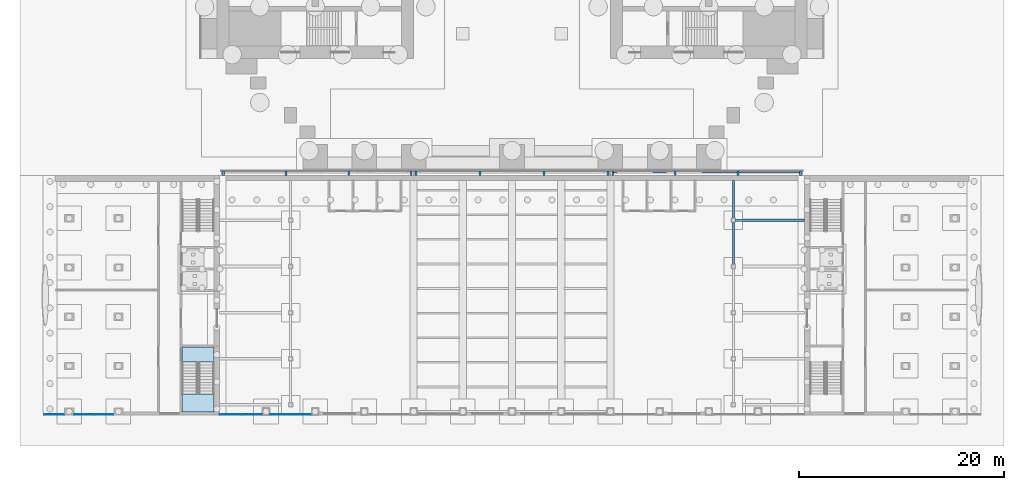
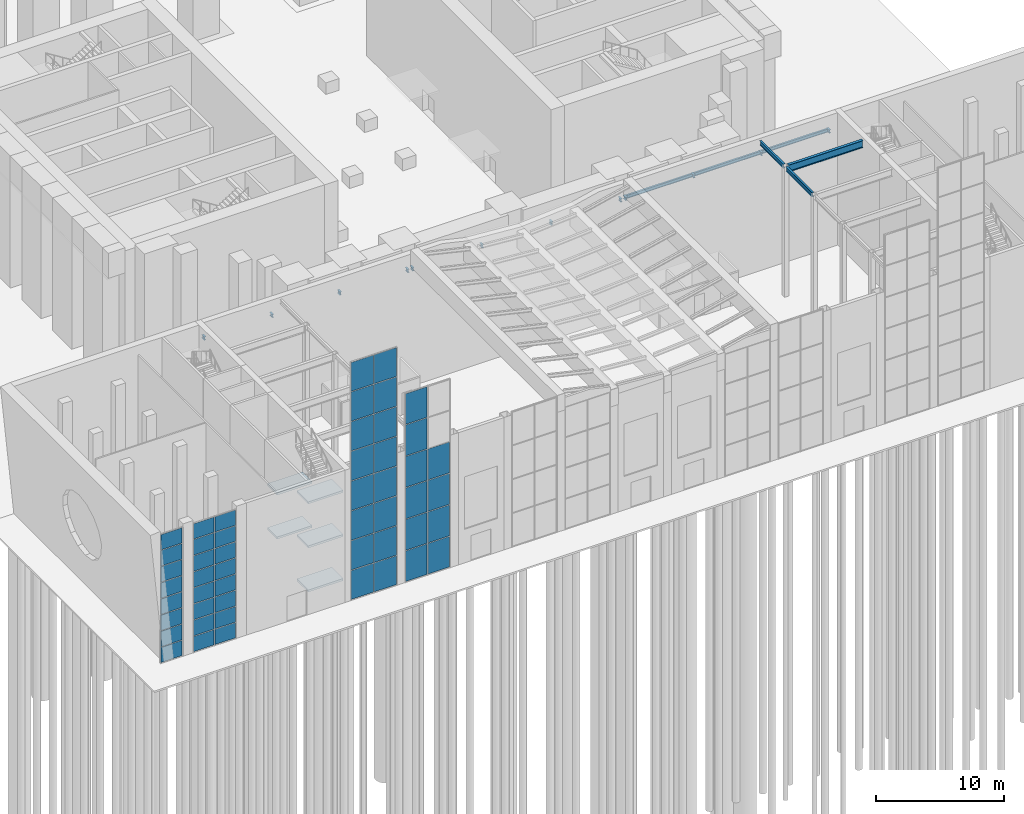
# One storey, part 38 of 58: 50 plates, 16 beams, 5 slabs, 5 elements without a shape of their own.
"""IFC4 building model written with IfcOpenShell, lengths in metres."""

from ifc_helpers import new_model, si_unit, direction, frame, origin, origin_2d, place, context, subcontext, project, spatial, polyline, rectangle, i_section, outline, extrude, material, layer, layer_set, material_profile, profile_set, type_object, element, aggregate, save


model = new_model("IFC4")

# Units and contexts
model_context = context("Model", 3, precision=1e-05, world=origin(), true_north=direction((0.0, 1.0)))
body_context = subcontext(model_context, "Body", "Model", "MODEL_VIEW")
ifc_project = project(units=[si_unit("LENGTHUNIT", "METRE"), si_unit("AREAUNIT", "SQUARE_METRE"), si_unit("VOLUMEUNIT", "CUBIC_METRE"), si_unit("PLANEANGLEUNIT", "RADIAN"), si_unit("MASSUNIT", "GRAM", prefix="KILO")], contexts=[model_context])

# Site, building, storey
site_placement = place(None, origin())
site = spatial("IfcSite", under=ifc_project, at=site_placement, CompositionType="ELEMENT")
building_placement = place(site_placement, origin())
building = spatial("IfcBuilding", under=site, at=building_placement, Name="Baori Bourse Tower", CompositionType="ELEMENT")
storey_placement = place(building_placement, origin())
storey = spatial("IfcBuildingStorey", under=building, at=storey_placement, Name="L00", CompositionType="ELEMENT", Elevation=0.0)

# Beams
ifc_material_1 = material(Name="Steel A992 Gr 50", Category="steel")
ifc_material_profile_1 = material_profile(ifc_material_1, i_section(OverallWidth=0.164794921875, OverallDepth=0.309814453125, WebThickness=0.005859375, FlangeThickness=0.009765625, at=origin_2d()), Name="W12x26")
ifc_profile_set_1 = profile_set([ifc_material_profile_1], Name="Steel A992 Gr 50")
beam_type_1 = type_object("IfcBeamType", Name="Wing beam W12x26", PredefinedType="BEAM", material=ifc_profile_set_1)
for number, where, z_axis, x_axis, name in (
    (1, (0.64990234375, -1.800048828125, 10.64501953125), (0.0, 1.0, 0.0), (-1.0, 0.0, 0.0), "wing/L00/canopybeam1/001"),
    (2, (6.75830078125, -1.800048828125, 10.64501953125), (0.0, 1.0, 0.0), (-1.0, 0.0, 0.0), "wing/L00/canopybeam1/002"),
    (3, (12.86669921875, -1.800048828125, 10.64501953125), (0.0, 1.0, 0.0), (-1.0, 0.0, 0.0), "wing/L00/canopybeam1/003"),
    (4, (18.97509765625, -1.800048828125, 10.64501953125), (0.0, 1.0, 0.0), (-1.0, 0.0, 0.0), "wing/L00/canopybeam1/004"),
    (5, (19.425048828125, -1.800048828125, 10.64501953125), (0.0, 1.0, 0.0), (-1.0, 0.0, 0.0), "wing/L00/canopybeam2/001"),
    (6, (25.675048828125, -1.800048828125, 10.64501953125), (0.0, 1.0, 0.0), (-1.0, 0.0, 0.0), "wing/L00/canopybeam2/002"),
    (7, (31.925048828125, -1.800048828125, 10.64501953125), (0.0, 1.0, 0.0), (-1.0, 0.0, 0.0), "wing/L00/canopybeam2/003"),
    (8, (38.175048828125, -1.800048828125, 10.64501953125), (0.0, 1.0, 0.0), (-1.0, 0.0, 0.0), "wing/L00/canopybeam2/004"),
    (9, (38.625, -1.800048828125, 10.64501953125), (0.0, 1.0, 0.0), (-1.0, 0.0, 0.0), "wing/L00/canopybeam3/001"),
    (10, (44.7333984375, -1.800048828125, 10.64501953125), (0.0, 1.0, 0.0), (-1.0, 0.0, 0.0), "wing/L00/canopybeam3/002"),
    (11, (50.841552734375, -1.800048828125, 10.64501953125), (0.0, 1.0, 0.0), (-1.0, 0.0, 0.0), "wing/L00/canopybeam3/003"),
    (12, (56.949951171875, -1.800048828125, 10.64501953125), (0.0, 1.0, 0.0), (-1.0, 0.0, 0.0), "wing/L00/canopybeam3/004"),
):
    element("IfcBeam", number, at=place(storey_placement, frame(where, z_axis=z_axis, x_axis=x_axis)), inside=storey, type_object=beam_type_1, Name=name, PredefinedType="BEAM", context=body_context, shape_type="SweptSolid", body=[
        extrude(i_section(OverallWidth=0.164794921875, OverallDepth=0.309814453125, WebThickness=0.005859375, FlangeThickness=0.009765625, at=origin_2d()), origin(), (0.0, 0.0, 1.0), 0.400146484375),
    ])
beam_1_placement = place(storey_placement, frame((38.70751953125, -1.52001953125, 10.64501953125), z_axis=(1.0, 0.0, 0.0), x_axis=(0.0, 1.0, 0.0)))
element("IfcBeam", 13, at=beam_1_placement, inside=storey, type_object=beam_type_1, Name="wing/L00/canopyedgebeam3/001", PredefinedType="BEAM", context=body_context, shape_type="SweptSolid", body=[
    extrude(i_section(OverallWidth=0.164794921875, OverallDepth=0.309814453125, WebThickness=0.005859375, FlangeThickness=0.009765625, at=origin_2d()), origin(), (0.0, 0.0, 1.0), 18.16015625),
])
ifc_material_2 = material(Name="Steel A992 Gr 50", Category="steel")
ifc_material_profile_2 = material_profile(ifc_material_2, i_section(OverallWidth=0.177734375, OverallDepth=0.406494140625, WebThickness=0.0078125, FlangeThickness=0.012939453125, at=origin_2d()), Name="W16x40")
ifc_profile_set_2 = profile_set([ifc_material_profile_2], Name="Steel A992 Gr 50")
beam_type_2 = type_object("IfcBeamType", Name="Wing beam W16x40", PredefinedType="BEAM", material=ifc_profile_set_2)
beam_2_placement = place(storey_placement, frame((50.39990234375, -10.5, 12.19677734375), z_axis=(0.0, 1.0, 0.0), x_axis=(-1.0, 0.0, 0.0)))
element("IfcBeam", 14, at=beam_2_placement, inside=storey, type_object=beam_type_2, Name="wing/L00/galbeam/018", PredefinedType="BEAM", context=body_context, shape_type="SweptSolid", body=[
    extrude(i_section(OverallWidth=0.177734375, OverallDepth=0.406494140625, WebThickness=0.0078125, FlangeThickness=0.012939453125, at=origin_2d()), origin(), (0.0, 0.0, 1.0), 4.10009765625),
])
beam_3_placement = place(storey_placement, frame((50.39990234375, -6.0, 12.19677734375), z_axis=(0.0, 1.0, 0.0), x_axis=(-1.0, 0.0, 0.0)))
element("IfcBeam", 15, at=beam_3_placement, inside=storey, type_object=beam_type_2, Name="wing/L00/galbeam/020", PredefinedType="BEAM", context=body_context, shape_type="SweptSolid", body=[
    extrude(i_section(OverallWidth=0.177734375, OverallDepth=0.406494140625, WebThickness=0.0078125, FlangeThickness=0.012939453125, at=origin_2d()), origin(), (0.0, 0.0, 1.0), 3.699951171875),
])
ifc_material_3 = material(Name="Steel A992 Gr 50", Category="steel")
ifc_material_profile_3 = material_profile(ifc_material_3, i_section(OverallWidth=0.25390625, OverallDepth=0.67822265625, WebThickness=0.01171875, FlangeThickness=0.016357421875, at=origin_2d()), Name="W27x84")
ifc_profile_set_3 = profile_set([ifc_material_profile_3], Name="Steel A992 Gr 50")
beam_type_3 = type_object("IfcBeamType", Name="Wing beam W27x84", PredefinedType="BEAM", material=ifc_profile_set_3)
beam_4_placement = place(storey_placement, frame((57.35009765625, -6.199951171875, 12.060791015625), z_axis=(-1.0, 0.0, 0.0), x_axis=(0.0, -1.0, 0.0)))
element("IfcBeam", 16, at=beam_4_placement, inside=storey, type_object=beam_type_3, Name="wing/L00/galbeam/019", PredefinedType="BEAM", context=body_context, shape_type="SweptSolid", body=[
    extrude(i_section(OverallWidth=0.25390625, OverallDepth=0.67822265625, WebThickness=0.01171875, FlangeThickness=0.016357421875, at=origin_2d()), origin(), (0.0, 0.0, 1.0), 6.75),
])

# Curtain wall, plates
ifc_material_4 = material(Name="Pale anodised aluminium", Category="aluminium")
ifc_layer_1 = layer(ifc_material_4, 0.10009765625)
ifc_layer_set_1 = layer_set([ifc_layer_1], Name="Wing curtain wall")
curtain_wall_type = type_object("IfcCurtainWallType", Name="Wing curtain wall", PredefinedType="NOTDEFINED", material=ifc_layer_set_1)
curtain_wall_1_placement = place(storey_placement, origin())
curtain_wall_1 = element("IfcCurtainWall", 17, at=curtain_wall_1_placement, inside=storey, type_object=curtain_wall_type, Name="wing/L00/Wcw/001", PredefinedType="NOTDEFINED")
ifc_material_5 = material(Name="Clear glass", Category="glass")
ifc_layer_2 = layer(ifc_material_5, 0.028076171875)
ifc_layer_set_2 = layer_set([ifc_layer_2], Name="Wing glass panel 28")
plate_type = type_object("IfcPlateType", Name="Wing glass panel 28", PredefinedType="CURTAIN_PANEL", material=ifc_layer_set_2)
plate_1_placement = place(storey_placement, frame((-15.876220703125, -25.14990234375, 0.06005859375), z_axis=(0.0, 0.0, 1.0), x_axis=(1.0, 0.0, 0.0)))
plate_1 = element("IfcPlate", 18, at=plate_1_placement, type_object=plate_type, Name="X12 panel 1.1", PredefinedType="CURTAIN_PANEL", context=body_context, shape_type="SweptSolid", body=[
    extrude(rectangle(XDim=1.9326171875, YDim=0.028076171875, at=origin_2d()), origin(), (0.0, 0.0, 1.0), 1.447509765625),
])
plate_2_placement = place(storey_placement, frame((-15.876220703125, -25.14990234375, 1.5673828125), z_axis=(0.0, 0.0, 1.0), x_axis=(1.0, 0.0, 0.0)))
plate_2 = element("IfcPlate", 19, at=plate_2_placement, type_object=plate_type, Name="X12 panel 1.2", PredefinedType="CURTAIN_PANEL", context=body_context, shape_type="SweptSolid", body=[
    extrude(rectangle(XDim=1.9326171875, YDim=0.028076171875, at=origin_2d()), origin(), (0.0, 0.0, 1.0), 1.4775390625),
])
plate_3_placement = place(storey_placement, frame((-15.876220703125, -25.14990234375, 3.10498046875), z_axis=(0.0, 0.0, 1.0), x_axis=(1.0, 0.0, 0.0)))
plate_3 = element("IfcPlate", 20, at=plate_3_placement, type_object=plate_type, Name="X12 panel 1.3", PredefinedType="CURTAIN_PANEL", context=body_context, shape_type="SweptSolid", body=[
    extrude(rectangle(XDim=1.9326171875, YDim=0.028076171875, at=origin_2d()), origin(), (0.0, 0.0, 1.0), 1.4775390625),
])
plate_4_placement = place(storey_placement, frame((-15.876220703125, -25.14990234375, 4.642578125), z_axis=(0.0, 0.0, 1.0), x_axis=(1.0, 0.0, 0.0)))
plate_4 = element("IfcPlate", 21, at=plate_4_placement, type_object=plate_type, Name="X12 panel 1.4", PredefinedType="CURTAIN_PANEL", context=body_context, shape_type="SweptSolid", body=[
    extrude(rectangle(XDim=1.9326171875, YDim=0.028076171875, at=origin_2d()), origin(), (0.0, 0.0, 1.0), 1.4775390625),
])
plate_5_placement = place(storey_placement, frame((-15.876220703125, -25.14990234375, 6.179931640625), z_axis=(0.0, 0.0, 1.0), x_axis=(1.0, 0.0, 0.0)))
plate_5 = element("IfcPlate", 22, at=plate_5_placement, type_object=plate_type, Name="X12 panel 1.5", PredefinedType="CURTAIN_PANEL", context=body_context, shape_type="SweptSolid", body=[
    extrude(rectangle(XDim=1.9326171875, YDim=0.028076171875, at=origin_2d()), origin(), (0.0, 0.0, 1.0), 1.4775390625),
])
plate_6_placement = place(storey_placement, frame((-15.876220703125, -25.14990234375, 7.717529296875), z_axis=(0.0, 0.0, 1.0), x_axis=(1.0, 0.0, 0.0)))
plate_6 = element("IfcPlate", 23, at=plate_6_placement, type_object=plate_type, Name="X12 panel 1.6", PredefinedType="CURTAIN_PANEL", context=body_context, shape_type="SweptSolid", body=[
    extrude(rectangle(XDim=1.9326171875, YDim=0.028076171875, at=origin_2d()), origin(), (0.0, 0.0, 1.0), 1.4775390625),
])
plate_7_placement = place(storey_placement, frame((-15.876220703125, -25.14990234375, 9.2548828125), z_axis=(0.0, 0.0, 1.0), x_axis=(1.0, 0.0, 0.0)))
plate_7 = element("IfcPlate", 24, at=plate_7_placement, type_object=plate_type, Name="X12 panel 1.7", PredefinedType="CURTAIN_PANEL", context=body_context, shape_type="SweptSolid", body=[
    extrude(rectangle(XDim=1.9326171875, YDim=0.028076171875, at=origin_2d()), origin(), (0.0, 0.0, 1.0), 1.4775390625),
])
plate_8_placement = place(storey_placement, frame((-15.876220703125, -25.14990234375, 10.79248046875), z_axis=(0.0, 0.0, 1.0), x_axis=(1.0, 0.0, 0.0)))
plate_8 = element("IfcPlate", 25, at=plate_8_placement, type_object=plate_type, Name="X12 panel 1.8", PredefinedType="CURTAIN_PANEL", context=body_context, shape_type="SweptSolid", body=[
    extrude(rectangle(XDim=1.9326171875, YDim=0.028076171875, at=origin_2d()), origin(), (0.0, 0.0, 1.0), 1.447509765625),
])
aggregate(curtain_wall_1, [plate_1, plate_2, plate_3, plate_4, plate_5, plate_6, plate_7, plate_8])

curtain_wall_2_placement = place(storey_placement, origin())
curtain_wall_2 = element("IfcCurtainWall", 26, at=curtain_wall_2_placement, inside=storey, type_object=curtain_wall_type, Name="wing/L00/Wcw/002", PredefinedType="NOTDEFINED")
plate_9_placement = place(storey_placement, frame((-12.9599609375, -25.14990234375, 0.06005859375), z_axis=(0.0, 0.0, 1.0), x_axis=(1.0, 0.0, 0.0)))
plate_9 = element("IfcPlate", 27, at=plate_9_placement, type_object=plate_type, Name="X12 panel 1.1", PredefinedType="CURTAIN_PANEL", context=body_context, shape_type="SweptSolid", body=[
    extrude(rectangle(XDim=1.860107421875, YDim=0.028076171875, at=origin_2d()), origin(), (0.0, 0.0, 1.0), 1.447509765625),
])
plate_10_placement = place(storey_placement, frame((-12.9599609375, -25.14990234375, 1.5673828125), z_axis=(0.0, 0.0, 1.0), x_axis=(1.0, 0.0, 0.0)))
plate_10 = element("IfcPlate", 28, at=plate_10_placement, type_object=plate_type, Name="X12 panel 1.2", PredefinedType="CURTAIN_PANEL", context=body_context, shape_type="SweptSolid", body=[
    extrude(rectangle(XDim=1.860107421875, YDim=0.028076171875, at=origin_2d()), origin(), (0.0, 0.0, 1.0), 1.4775390625),
])
plate_11_placement = place(storey_placement, frame((-12.9599609375, -25.14990234375, 3.10498046875), z_axis=(0.0, 0.0, 1.0), x_axis=(1.0, 0.0, 0.0)))
plate_11 = element("IfcPlate", 29, at=plate_11_placement, type_object=plate_type, Name="X12 panel 1.3", PredefinedType="CURTAIN_PANEL", context=body_context, shape_type="SweptSolid", body=[
    extrude(rectangle(XDim=1.860107421875, YDim=0.028076171875, at=origin_2d()), origin(), (0.0, 0.0, 1.0), 1.4775390625),
])
plate_12_placement = place(storey_placement, frame((-12.9599609375, -25.14990234375, 4.642578125), z_axis=(0.0, 0.0, 1.0), x_axis=(1.0, 0.0, 0.0)))
plate_12 = element("IfcPlate", 30, at=plate_12_placement, type_object=plate_type, Name="X12 panel 1.4", PredefinedType="CURTAIN_PANEL", context=body_context, shape_type="SweptSolid", body=[
    extrude(rectangle(XDim=1.860107421875, YDim=0.028076171875, at=origin_2d()), origin(), (0.0, 0.0, 1.0), 1.4775390625),
])
plate_13_placement = place(storey_placement, frame((-12.9599609375, -25.14990234375, 6.179931640625), z_axis=(0.0, 0.0, 1.0), x_axis=(1.0, 0.0, 0.0)))
plate_13 = element("IfcPlate", 31, at=plate_13_placement, type_object=plate_type, Name="X12 panel 1.5", PredefinedType="CURTAIN_PANEL", context=body_context, shape_type="SweptSolid", body=[
    extrude(rectangle(XDim=1.860107421875, YDim=0.028076171875, at=origin_2d()), origin(), (0.0, 0.0, 1.0), 1.4775390625),
])
plate_14_placement = place(storey_placement, frame((-12.9599609375, -25.14990234375, 7.717529296875), z_axis=(0.0, 0.0, 1.0), x_axis=(1.0, 0.0, 0.0)))
plate_14 = element("IfcPlate", 32, at=plate_14_placement, type_object=plate_type, Name="X12 panel 1.6", PredefinedType="CURTAIN_PANEL", context=body_context, shape_type="SweptSolid", body=[
    extrude(rectangle(XDim=1.860107421875, YDim=0.028076171875, at=origin_2d()), origin(), (0.0, 0.0, 1.0), 1.4775390625),
])
plate_15_placement = place(storey_placement, frame((-12.9599609375, -25.14990234375, 9.2548828125), z_axis=(0.0, 0.0, 1.0), x_axis=(1.0, 0.0, 0.0)))
plate_15 = element("IfcPlate", 33, at=plate_15_placement, type_object=plate_type, Name="X12 panel 1.7", PredefinedType="CURTAIN_PANEL", context=body_context, shape_type="SweptSolid", body=[
    extrude(rectangle(XDim=1.860107421875, YDim=0.028076171875, at=origin_2d()), origin(), (0.0, 0.0, 1.0), 1.4775390625),
])
plate_16_placement = place(storey_placement, frame((-12.9599609375, -25.14990234375, 10.79248046875), z_axis=(0.0, 0.0, 1.0), x_axis=(1.0, 0.0, 0.0)))
plate_16 = element("IfcPlate", 34, at=plate_16_placement, type_object=plate_type, Name="X12 panel 1.8", PredefinedType="CURTAIN_PANEL", context=body_context, shape_type="SweptSolid", body=[
    extrude(rectangle(XDim=1.860107421875, YDim=0.028076171875, at=origin_2d()), origin(), (0.0, 0.0, 1.0), 1.447509765625),
])
plate_17_placement = place(storey_placement, frame((-11.0400390625, -25.14990234375, 0.06005859375), z_axis=(0.0, 0.0, 1.0), x_axis=(1.0, 0.0, 0.0)))
plate_17 = element("IfcPlate", 35, at=plate_17_placement, type_object=plate_type, Name="X12 panel 2.1", PredefinedType="CURTAIN_PANEL", context=body_context, shape_type="SweptSolid", body=[
    extrude(rectangle(XDim=1.860107421875, YDim=0.028076171875, at=origin_2d()), origin(), (0.0, 0.0, 1.0), 1.447509765625),
])
plate_18_placement = place(storey_placement, frame((-11.0400390625, -25.14990234375, 1.5673828125), z_axis=(0.0, 0.0, 1.0), x_axis=(1.0, 0.0, 0.0)))
plate_18 = element("IfcPlate", 36, at=plate_18_placement, type_object=plate_type, Name="X12 panel 2.2", PredefinedType="CURTAIN_PANEL", context=body_context, shape_type="SweptSolid", body=[
    extrude(rectangle(XDim=1.860107421875, YDim=0.028076171875, at=origin_2d()), origin(), (0.0, 0.0, 1.0), 1.4775390625),
])
plate_19_placement = place(storey_placement, frame((-11.0400390625, -25.14990234375, 3.10498046875), z_axis=(0.0, 0.0, 1.0), x_axis=(1.0, 0.0, 0.0)))
plate_19 = element("IfcPlate", 37, at=plate_19_placement, type_object=plate_type, Name="X12 panel 2.3", PredefinedType="CURTAIN_PANEL", context=body_context, shape_type="SweptSolid", body=[
    extrude(rectangle(XDim=1.860107421875, YDim=0.028076171875, at=origin_2d()), origin(), (0.0, 0.0, 1.0), 1.4775390625),
])
plate_20_placement = place(storey_placement, frame((-11.0400390625, -25.14990234375, 4.642578125), z_axis=(0.0, 0.0, 1.0), x_axis=(1.0, 0.0, 0.0)))
plate_20 = element("IfcPlate", 38, at=plate_20_placement, type_object=plate_type, Name="X12 panel 2.4", PredefinedType="CURTAIN_PANEL", context=body_context, shape_type="SweptSolid", body=[
    extrude(rectangle(XDim=1.860107421875, YDim=0.028076171875, at=origin_2d()), origin(), (0.0, 0.0, 1.0), 1.4775390625),
])
plate_21_placement = place(storey_placement, frame((-11.0400390625, -25.14990234375, 6.179931640625), z_axis=(0.0, 0.0, 1.0), x_axis=(1.0, 0.0, 0.0)))
plate_21 = element("IfcPlate", 39, at=plate_21_placement, type_object=plate_type, Name="X12 panel 2.5", PredefinedType="CURTAIN_PANEL", context=body_context, shape_type="SweptSolid", body=[
    extrude(rectangle(XDim=1.860107421875, YDim=0.028076171875, at=origin_2d()), origin(), (0.0, 0.0, 1.0), 1.4775390625),
])
plate_22_placement = place(storey_placement, frame((-11.0400390625, -25.14990234375, 7.717529296875), z_axis=(0.0, 0.0, 1.0), x_axis=(1.0, 0.0, 0.0)))
plate_22 = element("IfcPlate", 40, at=plate_22_placement, type_object=plate_type, Name="X12 panel 2.6", PredefinedType="CURTAIN_PANEL", context=body_context, shape_type="SweptSolid", body=[
    extrude(rectangle(XDim=1.860107421875, YDim=0.028076171875, at=origin_2d()), origin(), (0.0, 0.0, 1.0), 1.4775390625),
])
plate_23_placement = place(storey_placement, frame((-11.0400390625, -25.14990234375, 9.2548828125), z_axis=(0.0, 0.0, 1.0), x_axis=(1.0, 0.0, 0.0)))
plate_23 = element("IfcPlate", 41, at=plate_23_placement, type_object=plate_type, Name="X12 panel 2.7", PredefinedType="CURTAIN_PANEL", context=body_context, shape_type="SweptSolid", body=[
    extrude(rectangle(XDim=1.860107421875, YDim=0.028076171875, at=origin_2d()), origin(), (0.0, 0.0, 1.0), 1.4775390625),
])
plate_24_placement = place(storey_placement, frame((-11.0400390625, -25.14990234375, 10.79248046875), z_axis=(0.0, 0.0, 1.0), x_axis=(1.0, 0.0, 0.0)))
plate_24 = element("IfcPlate", 42, at=plate_24_placement, type_object=plate_type, Name="X12 panel 2.8", PredefinedType="CURTAIN_PANEL", context=body_context, shape_type="SweptSolid", body=[
    extrude(rectangle(XDim=1.860107421875, YDim=0.028076171875, at=origin_2d()), origin(), (0.0, 0.0, 1.0), 1.447509765625),
])
aggregate(curtain_wall_2, [plate_9, plate_10, plate_11, plate_12, plate_13, plate_14, plate_15, plate_16, plate_17, plate_18, plate_19, plate_20, plate_21, plate_22, plate_23, plate_24])

curtain_wall_3_placement = place(storey_placement, origin())
curtain_wall_3 = element("IfcCurtainWall", 43, at=curtain_wall_3_placement, inside=storey, type_object=curtain_wall_type, Name="wing/L00/hallcw/001", PredefinedType="NOTDEFINED")
plate_25_placement = place(storey_placement, frame((1.31494140625, -25.14990234375, 0.06005859375), z_axis=(0.0, 0.0, 1.0), x_axis=(1.0, 0.0, 0.0)))
plate_25 = element("IfcPlate", 44, at=plate_25_placement, type_object=plate_type, Name="X12 panel 1.1", PredefinedType="CURTAIN_PANEL", context=body_context, shape_type="SweptSolid", body=[
    extrude(rectangle(XDim=2.010009765625, YDim=0.028076171875, at=origin_2d()), origin(), (0.0, 0.0, 1.0), 2.74755859375),
])
plate_26_placement = place(storey_placement, frame((1.31494140625, -25.14990234375, 2.86767578125), z_axis=(0.0, 0.0, 1.0), x_axis=(1.0, 0.0, 0.0)))
plate_26 = element("IfcPlate", 45, at=plate_26_placement, type_object=plate_type, Name="X12 panel 1.2", PredefinedType="CURTAIN_PANEL", context=body_context, shape_type="SweptSolid", body=[
    extrude(rectangle(XDim=2.010009765625, YDim=0.028076171875, at=origin_2d()), origin(), (0.0, 0.0, 1.0), 2.777587890625),
])
plate_27_placement = place(storey_placement, frame((1.31494140625, -25.14990234375, 5.705078125), z_axis=(0.0, 0.0, 1.0), x_axis=(1.0, 0.0, 0.0)))
plate_27 = element("IfcPlate", 46, at=plate_27_placement, type_object=plate_type, Name="X12 panel 1.3", PredefinedType="CURTAIN_PANEL", context=body_context, shape_type="SweptSolid", body=[
    extrude(rectangle(XDim=2.010009765625, YDim=0.028076171875, at=origin_2d()), origin(), (0.0, 0.0, 1.0), 2.777587890625),
])
plate_28_placement = place(storey_placement, frame((1.31494140625, -25.14990234375, 8.54248046875), z_axis=(0.0, 0.0, 1.0), x_axis=(1.0, 0.0, 0.0)))
plate_28 = element("IfcPlate", 47, at=plate_28_placement, type_object=plate_type, Name="X12 panel 1.4", PredefinedType="CURTAIN_PANEL", context=body_context, shape_type="SweptSolid", body=[
    extrude(rectangle(XDim=2.010009765625, YDim=0.028076171875, at=origin_2d()), origin(), (0.0, 0.0, 1.0), 2.777587890625),
])
plate_29_placement = place(storey_placement, frame((1.31494140625, -25.14990234375, 11.3798828125), z_axis=(0.0, 0.0, 1.0), x_axis=(1.0, 0.0, 0.0)))
plate_29 = element("IfcPlate", 48, at=plate_29_placement, type_object=plate_type, Name="X12 panel 1.5", PredefinedType="CURTAIN_PANEL", context=body_context, shape_type="SweptSolid", body=[
    extrude(rectangle(XDim=2.010009765625, YDim=0.028076171875, at=origin_2d()), origin(), (0.0, 0.0, 1.0), 2.777587890625),
])
plate_30_placement = place(storey_placement, frame((1.31494140625, -25.14990234375, 14.21728515625), z_axis=(0.0, 0.0, 1.0), x_axis=(1.0, 0.0, 0.0)))
plate_30 = element("IfcPlate", 49, at=plate_30_placement, type_object=plate_type, Name="X12 panel 1.6", PredefinedType="CURTAIN_PANEL", context=body_context, shape_type="SweptSolid", body=[
    extrude(rectangle(XDim=2.010009765625, YDim=0.028076171875, at=origin_2d()), origin(), (0.0, 0.0, 1.0), 2.777587890625),
])
plate_31_placement = place(storey_placement, frame((1.31494140625, -25.14990234375, 17.05517578125), z_axis=(0.0, 0.0, 1.0), x_axis=(1.0, 0.0, 0.0)))
plate_31 = element("IfcPlate", 50, at=plate_31_placement, type_object=plate_type, Name="X12 panel 1.7", PredefinedType="CURTAIN_PANEL", context=body_context, shape_type="SweptSolid", body=[
    extrude(rectangle(XDim=2.010009765625, YDim=0.028076171875, at=origin_2d()), origin(), (0.0, 0.0, 1.0), 2.777587890625),
])
plate_32_placement = place(storey_placement, frame((1.31494140625, -25.14990234375, 19.892578125), z_axis=(0.0, 0.0, 1.0), x_axis=(1.0, 0.0, 0.0)))
plate_32 = element("IfcPlate", 51, at=plate_32_placement, type_object=plate_type, Name="X12 panel 1.8", PredefinedType="CURTAIN_PANEL", context=body_context, shape_type="SweptSolid", body=[
    extrude(rectangle(XDim=2.010009765625, YDim=0.028076171875, at=origin_2d()), origin(), (0.0, 0.0, 1.0), 2.74755859375),
])
plate_33_placement = place(storey_placement, frame((3.385009765625, -25.14990234375, 0.06005859375), z_axis=(0.0, 0.0, 1.0), x_axis=(1.0, 0.0, 0.0)))
plate_33 = element("IfcPlate", 52, at=plate_33_placement, type_object=plate_type, Name="X12 panel 2.1", PredefinedType="CURTAIN_PANEL", context=body_context, shape_type="SweptSolid", body=[
    extrude(rectangle(XDim=2.010009765625, YDim=0.028076171875, at=origin_2d()), origin(), (0.0, 0.0, 1.0), 2.74755859375),
])
plate_34_placement = place(storey_placement, frame((3.385009765625, -25.14990234375, 2.86767578125), z_axis=(0.0, 0.0, 1.0), x_axis=(1.0, 0.0, 0.0)))
plate_34 = element("IfcPlate", 53, at=plate_34_placement, type_object=plate_type, Name="X12 panel 2.2", PredefinedType="CURTAIN_PANEL", context=body_context, shape_type="SweptSolid", body=[
    extrude(rectangle(XDim=2.010009765625, YDim=0.028076171875, at=origin_2d()), origin(), (0.0, 0.0, 1.0), 2.777587890625),
])
plate_35_placement = place(storey_placement, frame((3.385009765625, -25.14990234375, 5.705078125), z_axis=(0.0, 0.0, 1.0), x_axis=(1.0, 0.0, 0.0)))
plate_35 = element("IfcPlate", 54, at=plate_35_placement, type_object=plate_type, Name="X12 panel 2.3", PredefinedType="CURTAIN_PANEL", context=body_context, shape_type="SweptSolid", body=[
    extrude(rectangle(XDim=2.010009765625, YDim=0.028076171875, at=origin_2d()), origin(), (0.0, 0.0, 1.0), 2.777587890625),
])
plate_36_placement = place(storey_placement, frame((3.385009765625, -25.14990234375, 8.54248046875), z_axis=(0.0, 0.0, 1.0), x_axis=(1.0, 0.0, 0.0)))
plate_36 = element("IfcPlate", 55, at=plate_36_placement, type_object=plate_type, Name="X12 panel 2.4", PredefinedType="CURTAIN_PANEL", context=body_context, shape_type="SweptSolid", body=[
    extrude(rectangle(XDim=2.010009765625, YDim=0.028076171875, at=origin_2d()), origin(), (0.0, 0.0, 1.0), 2.777587890625),
])
plate_37_placement = place(storey_placement, frame((3.385009765625, -25.14990234375, 11.3798828125), z_axis=(0.0, 0.0, 1.0), x_axis=(1.0, 0.0, 0.0)))
plate_37 = element("IfcPlate", 56, at=plate_37_placement, type_object=plate_type, Name="X12 panel 2.5", PredefinedType="CURTAIN_PANEL", context=body_context, shape_type="SweptSolid", body=[
    extrude(rectangle(XDim=2.010009765625, YDim=0.028076171875, at=origin_2d()), origin(), (0.0, 0.0, 1.0), 2.777587890625),
])
plate_38_placement = place(storey_placement, frame((3.385009765625, -25.14990234375, 14.21728515625), z_axis=(0.0, 0.0, 1.0), x_axis=(1.0, 0.0, 0.0)))
plate_38 = element("IfcPlate", 57, at=plate_38_placement, type_object=plate_type, Name="X12 panel 2.6", PredefinedType="CURTAIN_PANEL", context=body_context, shape_type="SweptSolid", body=[
    extrude(rectangle(XDim=2.010009765625, YDim=0.028076171875, at=origin_2d()), origin(), (0.0, 0.0, 1.0), 2.777587890625),
])
plate_39_placement = place(storey_placement, frame((3.385009765625, -25.14990234375, 17.05517578125), z_axis=(0.0, 0.0, 1.0), x_axis=(1.0, 0.0, 0.0)))
plate_39 = element("IfcPlate", 58, at=plate_39_placement, type_object=plate_type, Name="X12 panel 2.7", PredefinedType="CURTAIN_PANEL", context=body_context, shape_type="SweptSolid", body=[
    extrude(rectangle(XDim=2.010009765625, YDim=0.028076171875, at=origin_2d()), origin(), (0.0, 0.0, 1.0), 2.777587890625),
])
plate_40_placement = place(storey_placement, frame((3.385009765625, -25.14990234375, 19.892578125), z_axis=(0.0, 0.0, 1.0), x_axis=(1.0, 0.0, 0.0)))
plate_40 = element("IfcPlate", 59, at=plate_40_placement, type_object=plate_type, Name="X12 panel 2.8", PredefinedType="CURTAIN_PANEL", context=body_context, shape_type="SweptSolid", body=[
    extrude(rectangle(XDim=2.010009765625, YDim=0.028076171875, at=origin_2d()), origin(), (0.0, 0.0, 1.0), 2.74755859375),
])
aggregate(curtain_wall_3, [plate_25, plate_26, plate_27, plate_28, plate_29, plate_30, plate_31, plate_32, plate_33, plate_34, plate_35, plate_36, plate_37, plate_38, plate_39, plate_40])

curtain_wall_4_placement = place(storey_placement, origin())
curtain_wall_4 = element("IfcCurtainWall", 60, at=curtain_wall_4_placement, inside=storey, type_object=curtain_wall_type, Name="wing/L00/hallcw/002", PredefinedType="NOTDEFINED")
plate_41_placement = place(storey_placement, frame((6.18994140625, -25.14990234375, 0.06005859375), z_axis=(0.0, 0.0, 1.0), x_axis=(1.0, 0.0, 0.0)))
plate_41 = element("IfcPlate", 61, at=plate_41_placement, type_object=plate_type, Name="X12 panel 1.1", PredefinedType="CURTAIN_PANEL", context=body_context, shape_type="SweptSolid", body=[
    extrude(rectangle(XDim=1.9599609375, YDim=0.028076171875, at=origin_2d()), origin(), (0.0, 0.0, 1.0), 2.909912109375),
])
plate_42_placement = place(storey_placement, frame((6.18994140625, -25.14990234375, 3.030029296875), z_axis=(0.0, 0.0, 1.0), x_axis=(1.0, 0.0, 0.0)))
plate_42 = element("IfcPlate", 62, at=plate_42_placement, type_object=plate_type, Name="X12 panel 1.2", PredefinedType="CURTAIN_PANEL", context=body_context, shape_type="SweptSolid", body=[
    extrude(rectangle(XDim=1.9599609375, YDim=0.028076171875, at=origin_2d()), origin(), (0.0, 0.0, 1.0), 2.93994140625),
])
plate_43_placement = place(storey_placement, frame((6.18994140625, -25.14990234375, 6.030029296875), z_axis=(0.0, 0.0, 1.0), x_axis=(1.0, 0.0, 0.0)))
plate_43 = element("IfcPlate", 63, at=plate_43_placement, type_object=plate_type, Name="X12 panel 1.3", PredefinedType="CURTAIN_PANEL", context=body_context, shape_type="SweptSolid", body=[
    extrude(rectangle(XDim=1.9599609375, YDim=0.028076171875, at=origin_2d()), origin(), (0.0, 0.0, 1.0), 2.93994140625),
])
plate_44_placement = place(storey_placement, frame((6.18994140625, -25.14990234375, 9.030029296875), z_axis=(0.0, 0.0, 1.0), x_axis=(1.0, 0.0, 0.0)))
plate_44 = element("IfcPlate", 64, at=plate_44_placement, type_object=plate_type, Name="X12 panel 1.4", PredefinedType="CURTAIN_PANEL", context=body_context, shape_type="SweptSolid", body=[
    extrude(rectangle(XDim=1.9599609375, YDim=0.028076171875, at=origin_2d()), origin(), (0.0, 0.0, 1.0), 2.93994140625),
])
plate_45_placement = place(storey_placement, frame((6.18994140625, -25.14990234375, 12.030029296875), z_axis=(0.0, 0.0, 1.0), x_axis=(1.0, 0.0, 0.0)))
plate_45 = element("IfcPlate", 65, at=plate_45_placement, type_object=plate_type, Name="X12 panel 1.5", PredefinedType="CURTAIN_PANEL", context=body_context, shape_type="SweptSolid", body=[
    extrude(rectangle(XDim=1.9599609375, YDim=0.028076171875, at=origin_2d()), origin(), (0.0, 0.0, 1.0), 2.93994140625),
])
plate_46_placement = place(storey_placement, frame((6.18994140625, -25.14990234375, 15.0302734375), z_axis=(0.0, 0.0, 1.0), x_axis=(1.0, 0.0, 0.0)))
plate_46 = element("IfcPlate", 66, at=plate_46_placement, type_object=plate_type, Name="X12 panel 1.6", PredefinedType="CURTAIN_PANEL", context=body_context, shape_type="SweptSolid", body=[
    extrude(rectangle(XDim=1.9599609375, YDim=0.028076171875, at=origin_2d()), origin(), (0.0, 0.0, 1.0), 2.909912109375),
])
plate_47_placement = place(storey_placement, frame((8.2099609375, -25.14990234375, 0.06005859375), z_axis=(0.0, 0.0, 1.0), x_axis=(1.0, 0.0, 0.0)))
plate_47 = element("IfcPlate", 67, at=plate_47_placement, type_object=plate_type, Name="X12 panel 2.1", PredefinedType="CURTAIN_PANEL", context=body_context, shape_type="SweptSolid", body=[
    extrude(rectangle(XDim=1.9599609375, YDim=0.028076171875, at=origin_2d()), origin(), (0.0, 0.0, 1.0), 2.909912109375),
])
plate_48_placement = place(storey_placement, frame((8.2099609375, -25.14990234375, 3.030029296875), z_axis=(0.0, 0.0, 1.0), x_axis=(1.0, 0.0, 0.0)))
plate_48 = element("IfcPlate", 68, at=plate_48_placement, type_object=plate_type, Name="X12 panel 2.2", PredefinedType="CURTAIN_PANEL", context=body_context, shape_type="SweptSolid", body=[
    extrude(rectangle(XDim=1.9599609375, YDim=0.028076171875, at=origin_2d()), origin(), (0.0, 0.0, 1.0), 2.93994140625),
])
plate_49_placement = place(storey_placement, frame((8.2099609375, -25.14990234375, 6.030029296875), z_axis=(0.0, 0.0, 1.0), x_axis=(1.0, 0.0, 0.0)))
plate_49 = element("IfcPlate", 69, at=plate_49_placement, type_object=plate_type, Name="X12 panel 2.3", PredefinedType="CURTAIN_PANEL", context=body_context, shape_type="SweptSolid", body=[
    extrude(rectangle(XDim=1.9599609375, YDim=0.028076171875, at=origin_2d()), origin(), (0.0, 0.0, 1.0), 2.93994140625),
])
plate_50_placement = place(storey_placement, frame((8.2099609375, -25.14990234375, 9.030029296875), z_axis=(0.0, 0.0, 1.0), x_axis=(1.0, 0.0, 0.0)))
plate_50 = element("IfcPlate", 70, at=plate_50_placement, type_object=plate_type, Name="X12 panel 2.4", PredefinedType="CURTAIN_PANEL", context=body_context, shape_type="SweptSolid", body=[
    extrude(rectangle(XDim=1.9599609375, YDim=0.028076171875, at=origin_2d()), origin(), (0.0, 0.0, 1.0), 2.93994140625),
])
aggregate(curtain_wall_4, [plate_41, plate_42, plate_43, plate_44, plate_45, plate_46, plate_47, plate_48, plate_49, plate_50])

# Stair, slabs
ifc_material_6 = material(Name="Concrete f'c 40 MPa", Category="concrete")
stair_type = type_object("IfcStairType", Name="Wing exit stair 1500", PredefinedType="HALF_TURN_STAIR", material=ifc_material_6)
stair_placement = place(storey_placement, origin())
stair = element("IfcStair", 71, at=stair_placement, inside=storey, type_object=stair_type, Name="L00 Exit stair WB", PredefinedType="HALF_TURN_STAIR")
ifc_material_7 = material(Name="Concrete f'c 40 MPa", Category="concrete")
ifc_layer_3 = layer(ifc_material_7, 0.199951171875)
ifc_layer_set_3 = layer_set([ifc_layer_3], Name="Wing stair landing 200")
slab_type = type_object("IfcSlabType", Name="Wing stair landing 200", PredefinedType="LANDING", material=ifc_layer_set_3)
slab_1_placement = place(storey_placement, frame((0.0, 0.0, 1.89990234375)))
slab_1 = element("IfcSlab", 72, at=slab_1_placement, type_object=slab_type, Name="W-STB landing 1", PredefinedType="LANDING", context=body_context, shape_type="SweptSolid", body=[
    extrude(outline(polyline([(-3.39990234375, -23.1201171875), (-3.39990234375, -24.89990234375), (-0.25, -24.89990234375), (-0.25, -23.1201171875), (-3.39990234375, -23.1201171875)])), origin(), (0.0, 0.0, 1.0), 0.2001953125),
])
slab_2_placement = place(storey_placement, frame((0.0, 0.0, 4.0)))
slab_2 = element("IfcSlab", 73, at=slab_2_placement, type_object=slab_type, Name="W-STB landing 2", PredefinedType="LANDING", context=body_context, shape_type="SweptSolid", body=[
    extrude(outline(polyline([(-3.39990234375, -18.5400390625), (-3.39990234375, -20.0400390625), (-0.25, -20.0400390625), (-0.25, -18.5400390625), (-3.39990234375, -18.5400390625)])), origin(), (0.0, 0.0, 1.0), 0.199951171875),
])
slab_3_placement = place(storey_placement, frame((0.0, 0.0, 6.10009765625)))
slab_3 = element("IfcSlab", 74, at=slab_3_placement, type_object=slab_type, Name="W-STB landing 3", PredefinedType="LANDING", context=body_context, shape_type="SweptSolid", body=[
    extrude(outline(polyline([(-3.39990234375, -23.1201171875), (-3.39990234375, -24.89990234375), (-0.25, -24.89990234375), (-0.25, -23.1201171875), (-3.39990234375, -23.1201171875)])), origin(), (0.0, 0.0, 1.0), 0.199951171875),
])
slab_4_placement = place(storey_placement, frame((0.0, 0.0, 8.199951171875)))
slab_4 = element("IfcSlab", 75, at=slab_4_placement, type_object=slab_type, Name="W-STB landing 4", PredefinedType="LANDING", context=body_context, shape_type="SweptSolid", body=[
    extrude(outline(polyline([(-3.39990234375, -18.5400390625), (-3.39990234375, -20.0400390625), (-0.25, -20.0400390625), (-0.25, -18.5400390625), (-3.39990234375, -18.5400390625)])), origin(), (0.0, 0.0, 1.0), 0.199951171875),
])
slab_5_placement = place(storey_placement, frame((0.0, 0.0, 10.300048828125)))
slab_5 = element("IfcSlab", 76, at=slab_5_placement, type_object=slab_type, Name="W-STB landing 5", PredefinedType="LANDING", context=body_context, shape_type="SweptSolid", body=[
    extrude(outline(polyline([(-3.39990234375, -23.1201171875), (-3.39990234375, -24.89990234375), (-0.25, -24.89990234375), (-0.25, -23.1201171875), (-3.39990234375, -23.1201171875)])), origin(), (0.0, 0.0, 1.0), 0.199951171875),
])
aggregate(stair, [slab_1, slab_2, slab_3, slab_4, slab_5])

save(model, "model.ifc")
